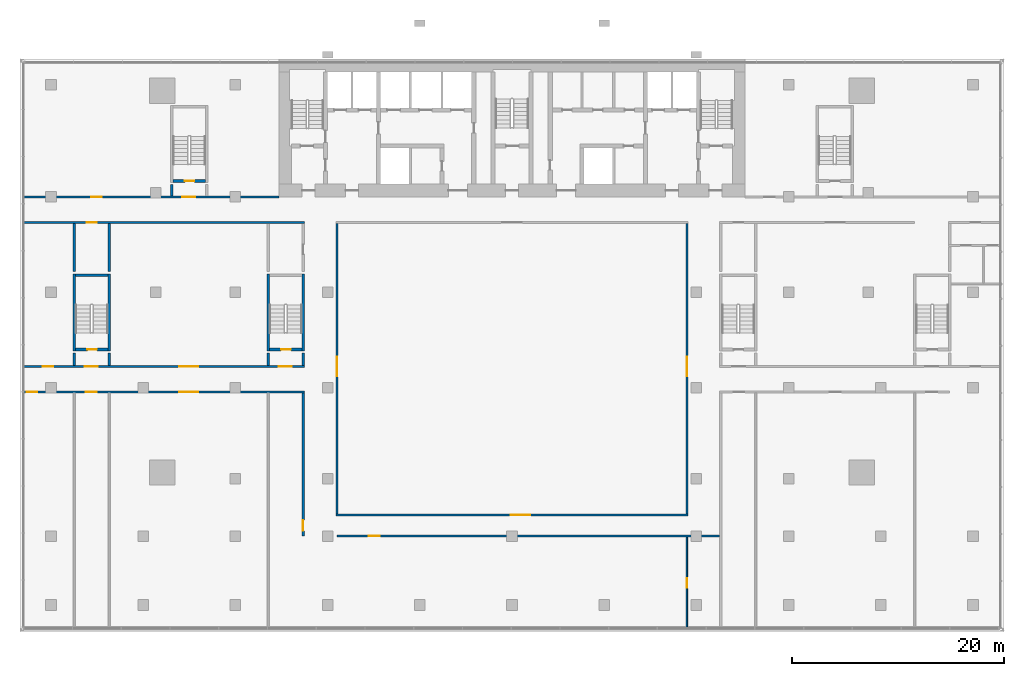
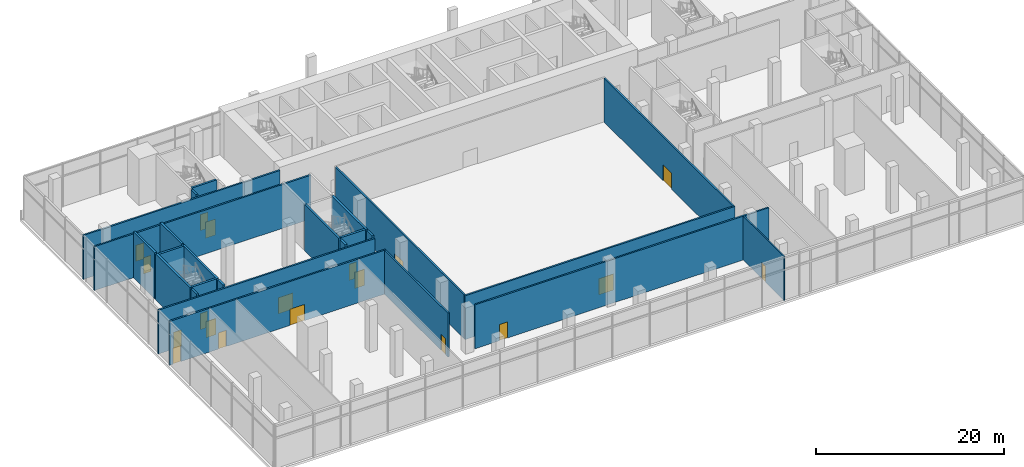
# One storey, part 12 of 21: 25 walls, 19 doors, 19 openings.
"""IFC4 building model written with IfcOpenShell, lengths in metres."""

from ifc_helpers import new_model, si_unit, direction, frame, frame_2d, origin, place, context, subcontext, project, spatial, rectangle, extrude, material, layer, layer_set, type_object, element, fill, save


model = new_model("IFC4")

# Units and contexts
model_context = context("Model", 3, precision=1e-05, world=origin(), true_north=direction((0.0, 1.0)))
body_context = subcontext(model_context, "Body", "Model", "MODEL_VIEW")
ifc_project = project(units=[si_unit("LENGTHUNIT", "METRE"), si_unit("AREAUNIT", "SQUARE_METRE"), si_unit("VOLUMEUNIT", "CUBIC_METRE"), si_unit("PLANEANGLEUNIT", "RADIAN"), si_unit("MASSUNIT", "GRAM", prefix="KILO")], contexts=[model_context])

# Site, building, storey
site_placement = place(None, origin())
site = spatial("IfcSite", under=ifc_project, at=site_placement, CompositionType="ELEMENT")
building_placement = place(site_placement, origin())
building = spatial("IfcBuilding", under=site, at=building_placement, Name="Bicima Exchange Tower", CompositionType="ELEMENT")
storey_placement = place(building_placement, frame((0.0, 0.0, 8.0)))
storey = spatial("IfcBuildingStorey", under=building, at=storey_placement, Name="L01", CompositionType="ELEMENT", Elevation=8.0)

# Wall, opening, door
ifc_material_1 = material(Name="Gypsum board partition")
ifc_layer_1 = layer(ifc_material_1, 0.199951171875)
ifc_layer_set_1 = layer_set([ifc_layer_1], Name="Gypsum board partition")
wall_type_1 = type_object("IfcWallType", Name="Fire-rated gypsum partition 200 EI60", PredefinedType="PARTITIONING", material=ifc_layer_set_1)
wall_1_placement = place(storey_placement, frame((-16.5, -45.0, 0.0), z_axis=(0.0, 0.0, 1.0), x_axis=(1.0, 0.0, 0.0)))
wall_1 = element("IfcWall", 1, at=wall_1_placement, inside=storey, type_object=wall_type_1, Name="partition wall 1", PredefinedType="PARTITIONING", context=body_context, shape_type="SweptSolid", body=[
    extrude(rectangle(XDim=36.10009765625, YDim=0.199951171875, at=frame_2d((18.050048828125, 0.0))), origin(), (0.0, 0.0, 1.0), 5.699951171875),
])
opening_1_placement = place(wall_1_placement, frame((3.0, 0.0, 0.0)))
opening_1 = element("IfcOpeningElement", 2, at=opening_1_placement, cuts=wall_1, Name="Opening L01-014", PredefinedType="OPENING", context=body_context, shape_type="SweptSolid", body=[
    extrude(rectangle(XDim=1.0, YDim=2.10009765625, at=frame_2d((0.5, 1.050048828125))), frame((0.0, 0.11181640625, 0.0), z_axis=(0.0, -1.0, 0.0), x_axis=(1.0, 0.0, 0.0)), (0.0, 0.0, 1.0), 0.223876953125),
])
ifc_material_2 = material(Name="Steel fire door leaf", Category="steel")
door_type_1 = type_object("IfcDoorType", Name="Door 1000 swing FD30S", OperationType="SINGLE_SWING_LEFT", PredefinedType="DOOR", material=ifc_material_2)
door_1_placement = place(opening_1_placement, frame((1.0, 0.0, 0.0), z_axis=(0.0, 0.0, 1.0), x_axis=(-1.0, 0.0, 0.0)))
door_1 = element("IfcDoor", 3, at=door_1_placement, inside=storey, type_object=door_type_1, Name="Door", OperationType="SINGLE_SWING_RIGHT", OverallHeight=2.10009765625, OverallWidth=1.0, PredefinedType="DOOR", context=body_context, shape_type="SweptSolid", body=[
    extrude(rectangle(XDim=1.0, YDim=2.10009765625, at=frame_2d((0.5, 1.050048828125))), frame((0.0, 0.02490234375, 0.0), z_axis=(0.0, -1.0, 0.0), x_axis=(1.0, 0.0, 0.0)), (0.0, 0.0, 1.0), 0.050048828125),
])
fill(opening_1, door_1)

wall_2_placement = place(storey_placement, frame((-16.60009765625, -43.0, 0.0), z_axis=(0.0, 0.0, 1.0), x_axis=(1.0, 0.0, 0.0)))
wall_2 = element("IfcWall", 4, at=wall_2_placement, inside=storey, type_object=wall_type_1, Name="partition wall 2", PredefinedType="PARTITIONING", context=body_context, shape_type="SweptSolid", body=[
    extrude(rectangle(XDim=33.2001953125, YDim=0.199951171875, at=frame_2d((16.60009765625, 0.0))), origin(), (0.0, 0.0, 1.0), 5.699951171875),
])
opening_2_placement = place(wall_2_placement, frame((16.5, 0.0, 0.0)))
opening_2 = element("IfcOpeningElement", 5, at=opening_2_placement, cuts=wall_2, Name="Opening L01-035", PredefinedType="OPENING", context=body_context, shape_type="SweptSolid", body=[
    extrude(rectangle(XDim=1.800048828125, YDim=2.10009765625, at=frame_2d((0.89990234375, 1.050048828125))), frame((0.0, 0.11181640625, 0.0), z_axis=(0.0, -1.0, 0.0), x_axis=(1.0, 0.0, 0.0)), (0.0, 0.0, 1.0), 0.223876953125),
])
door_type_2 = type_object("IfcDoorType", Name="Door 1800 double swing FD30S", OperationType="DOUBLE_DOOR_SINGLE_SWING", PredefinedType="DOOR", material=ifc_material_2)
door_2_placement = place(opening_2_placement, origin())
door_2 = element("IfcDoor", 6, at=door_2_placement, inside=storey, type_object=door_type_2, Name="Door", OperationType="SINGLE_SWING_LEFT", OverallHeight=2.10009765625, OverallWidth=1.800048828125, PredefinedType="DOOR", context=body_context, shape_type="SweptSolid", body=[
    extrude(rectangle(XDim=1.800048828125, YDim=2.10009765625, at=frame_2d((0.89990234375, 1.050048828125))), frame((0.0, 0.02490234375, 0.0), z_axis=(0.0, -1.0, 0.0), x_axis=(1.0, 0.0, 0.0)), (0.0, 0.0, 1.0), 0.050048828125),
])
fill(opening_2, door_2)

# Wall, openings, doors
wall_3_placement = place(storey_placement, frame((-46.18994140625, -31.39990234375, 0.0), z_axis=(0.0, 0.0, 1.0), x_axis=(1.0, 0.0, 0.0)))
wall_3 = element("IfcWall", 7, at=wall_3_placement, inside=storey, type_object=wall_type_1, Name="partition wall 3", PredefinedType="PARTITIONING", context=body_context, shape_type="SweptSolid", body=[
    extrude(rectangle(XDim=26.58984375, YDim=0.199951171875, at=frame_2d((13.294921875, 0.0))), origin(), (0.0, 0.0, 1.0), 5.699951171875),
])
opening_3_placement = place(wall_3_placement, frame((0.39990234375, 0.0, 0.0)))
opening_3 = element("IfcOpeningElement", 8, at=opening_3_placement, cuts=wall_3, Name="Opening L01-018", PredefinedType="OPENING", context=body_context, shape_type="SweptSolid", body=[
    extrude(rectangle(XDim=1.0, YDim=2.10009765625, at=frame_2d((0.5, 1.050048828125))), frame((0.0, 0.11181640625, 0.0), z_axis=(0.0, -1.0, 0.0), x_axis=(1.0, 0.0, 0.0)), (0.0, 0.0, 1.0), 0.223876953125),
])
opening_4_placement = place(wall_3_placement, frame((5.989990234375, 0.0, 0.0)))
opening_4 = element("IfcOpeningElement", 9, at=opening_4_placement, cuts=wall_3, Name="Opening L01-020", PredefinedType="OPENING", context=body_context, shape_type="SweptSolid", body=[
    extrude(rectangle(XDim=1.0, YDim=2.10009765625, at=frame_2d((0.5, 1.050048828125))), frame((0.0, 0.11181640625, 0.0), z_axis=(0.0, -1.0, 0.0), x_axis=(1.0, 0.0, 0.0)), (0.0, 0.0, 1.0), 0.223876953125),
])
opening_5_placement = place(wall_3_placement, frame((14.7900390625, 0.0, 0.0)))
opening_5 = element("IfcOpeningElement", 10, at=opening_5_placement, cuts=wall_3, Name="Opening L01-022", PredefinedType="OPENING", context=body_context, shape_type="SweptSolid", body=[
    extrude(rectangle(XDim=1.800048828125, YDim=2.10009765625, at=frame_2d((0.89990234375, 1.050048828125))), frame((0.0, 0.11181640625, 0.0), z_axis=(0.0, -1.0, 0.0), x_axis=(1.0, 0.0, 0.0)), (0.0, 0.0, 1.0), 0.223876953125),
])
door_3_placement = place(opening_3_placement, frame((1.0, 0.0, 0.0), z_axis=(0.0, 0.0, 1.0), x_axis=(-1.0, 0.0, 0.0)))
door_3 = element("IfcDoor", 11, at=door_3_placement, inside=storey, type_object=door_type_1, Name="Door", OperationType="SINGLE_SWING_RIGHT", OverallHeight=2.10009765625, OverallWidth=1.0, PredefinedType="DOOR", context=body_context, shape_type="SweptSolid", body=[
    extrude(rectangle(XDim=1.0, YDim=2.10009765625, at=frame_2d((0.5, 1.050048828125))), frame((0.0, 0.02490234375, 0.0), z_axis=(0.0, -1.0, 0.0), x_axis=(1.0, 0.0, 0.0)), (0.0, 0.0, 1.0), 0.050048828125),
])
fill(opening_3, door_3)
door_4_placement = place(opening_4_placement, frame((1.0, 0.0, 0.0), z_axis=(0.0, 0.0, 1.0), x_axis=(-1.0, 0.0, 0.0)))
door_4 = element("IfcDoor", 12, at=door_4_placement, inside=storey, type_object=door_type_1, Name="Door", OperationType="SINGLE_SWING_RIGHT", OverallHeight=2.10009765625, OverallWidth=1.0, PredefinedType="DOOR", context=body_context, shape_type="SweptSolid", body=[
    extrude(rectangle(XDim=1.0, YDim=2.10009765625, at=frame_2d((0.5, 1.050048828125))), frame((0.0, 0.02490234375, 0.0), z_axis=(0.0, -1.0, 0.0), x_axis=(1.0, 0.0, 0.0)), (0.0, 0.0, 1.0), 0.050048828125),
])
fill(opening_4, door_4)
door_5_placement = place(opening_5_placement, origin())
door_5 = element("IfcDoor", 13, at=door_5_placement, inside=storey, type_object=door_type_2, Name="Door", OperationType="SINGLE_SWING_LEFT", OverallHeight=2.10009765625, OverallWidth=1.800048828125, PredefinedType="DOOR", context=body_context, shape_type="SweptSolid", body=[
    extrude(rectangle(XDim=1.800048828125, YDim=2.10009765625, at=frame_2d((0.89990234375, 1.050048828125))), frame((0.0, 0.02490234375, 0.0), z_axis=(0.0, -1.0, 0.0), x_axis=(1.0, 0.0, 0.0)), (0.0, 0.0, 1.0), 0.050048828125),
])
fill(opening_5, door_5)

wall_4_placement = place(storey_placement, frame((-46.18994140625, -29.0, 0.0), z_axis=(0.0, 0.0, 1.0), x_axis=(1.0, 0.0, 0.0)))
wall_4 = element("IfcWall", 14, at=wall_4_placement, inside=storey, type_object=wall_type_1, Name="partition wall 5", PredefinedType="PARTITIONING", context=body_context, shape_type="SweptSolid", body=[
    extrude(rectangle(XDim=26.614990234375, YDim=0.199951171875, at=frame_2d((13.3076171875, 0.0))), origin(), (0.0, 0.0, 1.0), 5.699951171875),
])
opening_6_placement = place(wall_4_placement, frame((5.889892578125, 0.0, 0.0)))
opening_6 = element("IfcOpeningElement", 15, at=opening_6_placement, cuts=wall_4, Name="Opening L01-001", PredefinedType="OPENING", context=body_context, shape_type="SweptSolid", body=[
    extrude(rectangle(XDim=1.199951171875, YDim=2.10009765625, at=frame_2d((0.60009765625, 1.050048828125))), frame((0.0, 0.11181640625, 0.0), z_axis=(0.0, -1.0, 0.0), x_axis=(1.0, 0.0, 0.0)), (0.0, 0.0, 1.0), 0.223876953125),
])
opening_7_placement = place(wall_4_placement, frame((24.18994140625, 0.0, 0.0)))
opening_7 = element("IfcOpeningElement", 16, at=opening_7_placement, cuts=wall_4, Name="Opening L01-003", PredefinedType="OPENING", context=body_context, shape_type="SweptSolid", body=[
    extrude(rectangle(XDim=1.199951171875, YDim=2.10009765625, at=frame_2d((0.60009765625, 1.050048828125))), frame((0.0, 0.11181640625, 0.0), z_axis=(0.0, -1.0, 0.0), x_axis=(1.0, 0.0, 0.0)), (0.0, 0.0, 1.0), 0.223876953125),
])
opening_8_placement = place(wall_4_placement, frame((1.89990234375, 0.0, 0.0)))
opening_8 = element("IfcOpeningElement", 17, at=opening_8_placement, cuts=wall_4, Name="Opening L01-017", PredefinedType="OPENING", context=body_context, shape_type="SweptSolid", body=[
    extrude(rectangle(XDim=1.0, YDim=2.10009765625, at=frame_2d((0.5, 1.050048828125))), frame((0.0, 0.11181640625, 0.0), z_axis=(0.0, -1.0, 0.0), x_axis=(1.0, 0.0, 0.0)), (0.0, 0.0, 1.0), 0.223876953125),
])
opening_9_placement = place(wall_4_placement, frame((14.7900390625, 0.0, 0.0)))
opening_9 = element("IfcOpeningElement", 18, at=opening_9_placement, cuts=wall_4, Name="Opening L01-021", PredefinedType="OPENING", context=body_context, shape_type="SweptSolid", body=[
    extrude(rectangle(XDim=1.800048828125, YDim=2.10009765625, at=frame_2d((0.89990234375, 1.050048828125))), frame((0.0, 0.11181640625, 0.0), z_axis=(0.0, -1.0, 0.0), x_axis=(1.0, 0.0, 0.0)), (0.0, 0.0, 1.0), 0.223876953125),
])
door_6_placement = place(opening_8_placement, origin())
door_6 = element("IfcDoor", 19, at=door_6_placement, inside=storey, type_object=door_type_1, Name="Door", OperationType="SINGLE_SWING_LEFT", OverallHeight=2.10009765625, OverallWidth=1.0, PredefinedType="DOOR", context=body_context, shape_type="SweptSolid", body=[
    extrude(rectangle(XDim=1.0, YDim=2.10009765625, at=frame_2d((0.5, 1.050048828125))), frame((0.0, 0.02490234375, 0.0), z_axis=(0.0, -1.0, 0.0), x_axis=(1.0, 0.0, 0.0)), (0.0, 0.0, 1.0), 0.050048828125),
])
fill(opening_8, door_6)
door_type_3 = type_object("IfcDoorType", Name="Door 1200 swing FD30S", OperationType="SINGLE_SWING_LEFT", PredefinedType="DOOR", material=ifc_material_2)
door_7_placement = place(opening_6_placement, origin())
door_7 = element("IfcDoor", 20, at=door_7_placement, inside=storey, type_object=door_type_3, Name="Door", OperationType="SINGLE_SWING_LEFT", OverallHeight=2.10009765625, OverallWidth=1.199951171875, PredefinedType="DOOR", context=body_context, shape_type="SweptSolid", body=[
    extrude(rectangle(XDim=1.199951171875, YDim=2.10009765625, at=frame_2d((0.60009765625, 1.050048828125))), frame((0.0, 0.02490234375, 0.0), z_axis=(0.0, -1.0, 0.0), x_axis=(1.0, 0.0, 0.0)), (0.0, 0.0, 1.0), 0.050048828125),
])
fill(opening_6, door_7)
door_8_placement = place(opening_7_placement, origin())
door_8 = element("IfcDoor", 21, at=door_8_placement, inside=storey, type_object=door_type_3, Name="Door", OperationType="SINGLE_SWING_RIGHT", OverallHeight=2.10009765625, OverallWidth=1.199951171875, PredefinedType="DOOR", context=body_context, shape_type="SweptSolid", body=[
    extrude(rectangle(XDim=1.199951171875, YDim=2.10009765625, at=frame_2d((0.60009765625, 1.050048828125))), frame((0.0, 0.02490234375, 0.0), z_axis=(0.0, -1.0, 0.0), x_axis=(1.0, 0.0, 0.0)), (0.0, 0.0, 1.0), 0.050048828125),
])
fill(opening_7, door_8)
door_9_placement = place(opening_9_placement, origin())
door_9 = element("IfcDoor", 22, at=door_9_placement, inside=storey, type_object=door_type_2, Name="Door", OperationType="SINGLE_SWING_LEFT", OverallHeight=2.10009765625, OverallWidth=1.800048828125, PredefinedType="DOOR", context=body_context, shape_type="SweptSolid", body=[
    extrude(rectangle(XDim=1.800048828125, YDim=2.10009765625, at=frame_2d((0.89990234375, 1.050048828125))), frame((0.0, 0.02490234375, 0.0), z_axis=(0.0, -1.0, 0.0), x_axis=(1.0, 0.0, 0.0)), (0.0, 0.0, 1.0), 0.050048828125),
])
fill(opening_9, door_9)

# Wall, opening, door
wall_5_placement = place(storey_placement, frame((-46.18994140625, -15.39990234375, 0.0), z_axis=(0.0, 0.0, 1.0), x_axis=(1.0, 0.0, 0.0)))
wall_5 = element("IfcWall", 23, at=wall_5_placement, inside=storey, type_object=wall_type_1, Name="partition wall 17", PredefinedType="PARTITIONING", context=body_context, shape_type="SweptSolid", body=[
    extrude(rectangle(XDim=26.614990234375, YDim=0.199951171875, at=frame_2d((13.3076171875, 0.0))), origin(), (0.0, 0.0, 1.0), 5.699951171875),
])
opening_10_placement = place(wall_5_placement, frame((6.090087890625, 0.0, 0.0)))
opening_10 = element("IfcOpeningElement", 24, at=opening_10_placement, cuts=wall_5, Name="Opening L01-019", PredefinedType="OPENING", context=body_context, shape_type="SweptSolid", body=[
    extrude(rectangle(XDim=0.89990234375, YDim=2.10009765625, at=frame_2d((0.449951171875, 1.050048828125))), frame((0.0, 0.11181640625, 0.0), z_axis=(0.0, -1.0, 0.0), x_axis=(1.0, 0.0, 0.0)), (0.0, 0.0, 1.0), 0.223876953125),
])
door_type_4 = type_object("IfcDoorType", Name="Door 900 swing FD30S", OperationType="SINGLE_SWING_LEFT", PredefinedType="DOOR", material=ifc_material_2)
door_10_placement = place(opening_10_placement, frame((0.89990234375, 0.0, 0.0), z_axis=(0.0, 0.0, 1.0), x_axis=(-1.0, 0.0, 0.0)))
door_10 = element("IfcDoor", 25, at=door_10_placement, inside=storey, type_object=door_type_4, Name="Door", OperationType="SINGLE_SWING_LEFT", OverallHeight=2.10009765625, OverallWidth=0.89990234375, PredefinedType="DOOR", context=body_context, shape_type="SweptSolid", body=[
    extrude(rectangle(XDim=0.89990234375, YDim=2.10009765625, at=frame_2d((0.449951171875, 1.050048828125))), frame((0.0, 0.02490234375, 0.0), z_axis=(0.0, -1.0, 0.0), x_axis=(1.0, 0.0, 0.0)), (0.0, 0.0, 1.0), 0.050048828125),
])
fill(opening_10, door_10)

# Wall, openings, doors
wall_6_placement = place(storey_placement, frame((-46.18994140625, -13.0, 0.0), z_axis=(0.0, 0.0, 1.0), x_axis=(1.0, 0.0, 0.0)))
wall_6 = element("IfcWall", 26, at=wall_6_placement, inside=storey, type_object=wall_type_1, Name="partition wall 21", PredefinedType="PARTITIONING", context=body_context, shape_type="SweptSolid", body=[
    extrude(rectangle(XDim=24.18994140625, YDim=0.199951171875, at=frame_2d((12.094970703125, 0.0))), origin(), (0.0, 0.0, 1.0), 5.699951171875),
])
opening_11_placement = place(wall_6_placement, frame((15.090087890625, 0.0, 0.0)))
opening_11 = element("IfcOpeningElement", 27, at=opening_11_placement, cuts=wall_6, Name="Opening L01-009", PredefinedType="OPENING", context=body_context, shape_type="SweptSolid", body=[
    extrude(rectangle(XDim=1.199951171875, YDim=2.10009765625, at=frame_2d((0.60009765625, 1.050048828125))), frame((0.0, 0.11181640625, 0.0), z_axis=(0.0, -1.0, 0.0), x_axis=(1.0, 0.0, 0.0)), (0.0, 0.0, 1.0), 0.223876953125),
])
opening_12_placement = place(wall_6_placement, frame((6.5, 0.0, 0.0)))
opening_12 = element("IfcOpeningElement", 28, at=opening_12_placement, cuts=wall_6, Name="Opening L01-015", PredefinedType="OPENING", context=body_context, shape_type="SweptSolid", body=[
    extrude(rectangle(XDim=1.0, YDim=2.10009765625, at=frame_2d((0.5, 1.050048828125))), frame((0.0, 0.11181640625, 0.0), z_axis=(0.0, -1.0, 0.0), x_axis=(1.0, 0.0, 0.0)), (0.0, 0.0, 1.0), 0.223876953125),
])
door_11_placement = place(opening_12_placement, origin())
door_11 = element("IfcDoor", 29, at=door_11_placement, inside=storey, type_object=door_type_1, Name="Door", OperationType="SINGLE_SWING_RIGHT", OverallHeight=2.10009765625, OverallWidth=1.0, PredefinedType="DOOR", context=body_context, shape_type="SweptSolid", body=[
    extrude(rectangle(XDim=1.0, YDim=2.10009765625, at=frame_2d((0.5, 1.050048828125))), frame((0.0, 0.02490234375, 0.0), z_axis=(0.0, -1.0, 0.0), x_axis=(1.0, 0.0, 0.0)), (0.0, 0.0, 1.0), 0.050048828125),
])
fill(opening_12, door_11)
door_12_placement = place(opening_11_placement, origin())
door_12 = element("IfcDoor", 30, at=door_12_placement, inside=storey, type_object=door_type_3, Name="Door", OperationType="SINGLE_SWING_RIGHT", OverallHeight=2.10009765625, OverallWidth=1.199951171875, PredefinedType="DOOR", context=body_context, shape_type="SweptSolid", body=[
    extrude(rectangle(XDim=1.199951171875, YDim=2.10009765625, at=frame_2d((0.60009765625, 1.050048828125))), frame((0.0, 0.02490234375, 0.0), z_axis=(0.0, -1.0, 0.0), x_axis=(1.0, 0.0, 0.0)), (0.0, 0.0, 1.0), 0.050048828125),
])
fill(opening_11, door_12)

# Wall, opening, door
wall_7_placement = place(storey_placement, frame((-19.699951171875, -45.0, 0.0), z_axis=(0.0, 0.0, 1.0), x_axis=(0.0, 1.0, 0.0)))
wall_7 = element("IfcWall", 31, at=wall_7_placement, inside=storey, type_object=wall_type_1, Name="partition wall 37", PredefinedType="PARTITIONING", context=body_context, shape_type="SweptSolid", body=[
    extrude(rectangle(XDim=13.5, YDim=0.199951171875, at=frame_2d((6.75, 0.0))), origin(), (0.0, 0.0, 1.0), 5.699951171875),
])
opening_13_placement = place(wall_7_placement, frame((0.5, 0.0, 0.0)))
opening_13 = element("IfcOpeningElement", 32, at=opening_13_placement, cuts=wall_7, Name="Opening L01-024", PredefinedType="OPENING", context=body_context, shape_type="SweptSolid", body=[
    extrude(rectangle(XDim=1.0, YDim=2.10009765625, at=frame_2d((0.5, 1.050048828125))), frame((0.0, 0.11181640625, 0.0), z_axis=(0.0, -1.0, 0.0), x_axis=(1.0, 0.0, 0.0)), (0.0, 0.0, 1.0), 0.223876953125),
])
door_13_placement = place(opening_13_placement, origin())
door_13 = element("IfcDoor", 33, at=door_13_placement, inside=storey, type_object=door_type_1, Name="Door", OperationType="SINGLE_SWING_RIGHT", OverallHeight=2.10009765625, OverallWidth=1.0, PredefinedType="DOOR", context=body_context, shape_type="SweptSolid", body=[
    extrude(rectangle(XDim=1.0, YDim=2.10009765625, at=frame_2d((0.5, 1.050048828125))), frame((0.0, 0.02490234375, 0.0), z_axis=(0.0, -1.0, 0.0), x_axis=(1.0, 0.0, 0.0)), (0.0, 0.0, 1.0), 0.050048828125),
])
fill(opening_13, door_13)

wall_8_placement = place(storey_placement, frame((-16.5, -42.89990234375, 0.0), z_axis=(0.0, 0.0, 1.0), x_axis=(0.0, 1.0, 0.0)))
wall_8 = element("IfcWall", 34, at=wall_8_placement, inside=storey, type_object=wall_type_1, Name="partition wall 39", PredefinedType="PARTITIONING", context=body_context, shape_type="SweptSolid", body=[
    extrude(rectangle(XDim=27.39990234375, YDim=0.199951171875, at=frame_2d((13.699951171875, 0.0))), origin(), (0.0, 0.0, 1.0), 5.699951171875),
])
opening_14_placement = place(wall_8_placement, frame((13.0, 0.0, 0.0)))
opening_14 = element("IfcOpeningElement", 35, at=opening_14_placement, cuts=wall_8, Name="Opening L01-036", PredefinedType="OPENING", context=body_context, shape_type="SweptSolid", body=[
    extrude(rectangle(XDim=1.800048828125, YDim=2.10009765625, at=frame_2d((0.89990234375, 1.050048828125))), frame((0.0, 0.11181640625, 0.0), z_axis=(0.0, -1.0, 0.0), x_axis=(1.0, 0.0, 0.0)), (0.0, 0.0, 1.0), 0.223876953125),
])
door_14_placement = place(opening_14_placement, origin())
door_14 = element("IfcDoor", 36, at=door_14_placement, inside=storey, type_object=door_type_2, Name="Door", OperationType="SINGLE_SWING_LEFT", OverallHeight=2.10009765625, OverallWidth=1.800048828125, PredefinedType="DOOR", context=body_context, shape_type="SweptSolid", body=[
    extrude(rectangle(XDim=1.800048828125, YDim=2.10009765625, at=frame_2d((0.89990234375, 1.050048828125))), frame((0.0, 0.02490234375, 0.0), z_axis=(0.0, -1.0, 0.0), x_axis=(1.0, 0.0, 0.0)), (0.0, 0.0, 1.0), 0.050048828125),
])
fill(opening_14, door_14)

wall_9_placement = place(storey_placement, frame((16.5, -42.89990234375, 0.0), z_axis=(0.0, 0.0, 1.0), x_axis=(0.0, 1.0, 0.0)))
wall_9 = element("IfcWall", 37, at=wall_9_placement, inside=storey, type_object=wall_type_1, Name="partition wall 41", PredefinedType="PARTITIONING", context=body_context, shape_type="SweptSolid", body=[
    extrude(rectangle(XDim=27.39990234375, YDim=0.199951171875, at=frame_2d((13.699951171875, 0.0))), origin(), (0.0, 0.0, 1.0), 5.699951171875),
])
opening_15_placement = place(wall_9_placement, frame((13.0, 0.0, 0.0)))
opening_15 = element("IfcOpeningElement", 38, at=opening_15_placement, cuts=wall_9, Name="Opening L01-037", PredefinedType="OPENING", context=body_context, shape_type="SweptSolid", body=[
    extrude(rectangle(XDim=1.800048828125, YDim=2.10009765625, at=frame_2d((0.89990234375, 1.050048828125))), frame((0.0, 0.11181640625, 0.0), z_axis=(0.0, -1.0, 0.0), x_axis=(1.0, 0.0, 0.0)), (0.0, 0.0, 1.0), 0.223876953125),
])
door_15_placement = place(opening_15_placement, origin())
door_15 = element("IfcDoor", 39, at=door_15_placement, inside=storey, type_object=door_type_2, Name="Door", OperationType="SINGLE_SWING_LEFT", OverallHeight=2.10009765625, OverallWidth=1.800048828125, PredefinedType="DOOR", context=body_context, shape_type="SweptSolid", body=[
    extrude(rectangle(XDim=1.800048828125, YDim=2.10009765625, at=frame_2d((0.89990234375, 1.050048828125))), frame((0.0, 0.02490234375, 0.0), z_axis=(0.0, -1.0, 0.0), x_axis=(1.0, 0.0, 0.0)), (0.0, 0.0, 1.0), 0.050048828125),
])
fill(opening_15, door_15)

ifc_layer_2 = layer(ifc_material_1, 0.14990234375)
ifc_layer_set_2 = layer_set([ifc_layer_2], Name="Gypsum board partition")
wall_type_2 = type_object("IfcWallType", Name="Gypsum partition 150", PredefinedType="PARTITIONING", material=ifc_layer_set_2)
wall_10_placement = place(storey_placement, frame((16.5, -53.7900390625, 0.0), z_axis=(0.0, 0.0, 1.0), x_axis=(0.0, 1.0, 0.0)))
wall_10 = element("IfcWall", 40, at=wall_10_placement, inside=storey, type_object=wall_type_2, Name="partition wall 40", PredefinedType="PARTITIONING", context=body_context, shape_type="SweptSolid", body=[
    extrude(rectangle(XDim=8.68994140625, YDim=0.14990234375, at=frame_2d((4.344970703125, 0.0))), origin(), (0.0, 0.0, 1.0), 5.699951171875),
])
opening_16_placement = place(wall_10_placement, frame((3.89990234375, 0.0, 0.0)))
opening_16 = element("IfcOpeningElement", 41, at=opening_16_placement, cuts=wall_10, Name="Opening L01-025", PredefinedType="OPENING", context=body_context, shape_type="SweptSolid", body=[
    extrude(rectangle(XDim=0.89990234375, YDim=2.10009765625, at=frame_2d((0.449951171875, 1.050048828125))), frame((0.0, 0.0869140625, 0.0), z_axis=(0.0, -1.0, 0.0), x_axis=(1.0, 0.0, 0.0)), (0.0, 0.0, 1.0), 0.173828125),
])
ifc_material_3 = material(Name="Timber door leaf", Category="wood")
door_type_5 = type_object("IfcDoorType", Name="Door 900 swing", OperationType="SINGLE_SWING_LEFT", PredefinedType="DOOR", material=ifc_material_3)
door_16_placement = place(opening_16_placement, frame((0.89990234375, 0.0, 0.0), z_axis=(0.0, 0.0, 1.0), x_axis=(-1.0, 0.0, 0.0)))
door_16 = element("IfcDoor", 42, at=door_16_placement, inside=storey, type_object=door_type_5, Name="Door", OperationType="SINGLE_SWING_LEFT", OverallHeight=2.10009765625, OverallWidth=0.89990234375, PredefinedType="DOOR", context=body_context, shape_type="SweptSolid", body=[
    extrude(rectangle(XDim=0.89990234375, YDim=2.10009765625, at=frame_2d((0.449951171875, 1.050048828125))), frame((0.0, 0.02490234375, 0.0), z_axis=(0.0, -1.0, 0.0), x_axis=(1.0, 0.0, 0.0)), (0.0, 0.0, 1.0), 0.050048828125),
])
fill(opening_16, door_16)

# Walls
ifc_material_4 = material(Name="Concrete C50/60", Category="concrete")
ifc_layer_3 = layer(ifc_material_4, 0.25)
ifc_layer_set_3 = layer_set([ifc_layer_3], Name="Concrete C50/60")
wall_type_3 = type_object("IfcWallType", Name="RC core wall 250 C50/60", PredefinedType="SHEAR", material=ifc_layer_set_3)
wall_11_placement = place(storey_placement, frame((-41.300048828125, -28.89990234375, 0.0), z_axis=(0.0, 0.0, 1.0), x_axis=(0.0, 1.0, 0.0)))
element("IfcWall", 43, at=wall_11_placement, inside=storey, type_object=wall_type_3, Name="stair wall 30", PredefinedType="SHEAR", context=body_context, shape_type="SweptSolid", body=[
    extrude(rectangle(XDim=1.14990234375, YDim=0.25, at=frame_2d((0.574951171875, 0.0))), origin(), (0.0, 0.0, 1.0), 6.0),
])
wall_12_placement = place(storey_placement, frame((-41.300048828125, -20.050048828125, 0.0), z_axis=(0.0, 0.0, 1.0), x_axis=(0.0, 1.0, 0.0)))
element("IfcWall", 44, at=wall_12_placement, inside=storey, type_object=wall_type_3, Name="stair wall 30", PredefinedType="SHEAR", context=body_context, shape_type="SweptSolid", body=[
    extrude(rectangle(XDim=4.550048828125, YDim=0.25, at=frame_2d((2.27490234375, 0.0))), origin(), (0.0, 0.0, 1.0), 6.0),
])
wall_13_placement = place(storey_placement, frame((-38.0, -28.89990234375, 0.0), z_axis=(0.0, 0.0, 1.0), x_axis=(0.0, 1.0, 0.0)))
element("IfcWall", 45, at=wall_13_placement, inside=storey, type_object=wall_type_3, Name="stair wall 32", PredefinedType="SHEAR", context=body_context, shape_type="SweptSolid", body=[
    extrude(rectangle(XDim=1.14990234375, YDim=0.25, at=frame_2d((0.574951171875, 0.0))), origin(), (0.0, 0.0, 1.0), 6.0),
])
wall_14_placement = place(storey_placement, frame((-38.0, -20.050048828125, 0.0), z_axis=(0.0, 0.0, 1.0), x_axis=(0.0, 1.0, 0.0)))
element("IfcWall", 46, at=wall_14_placement, inside=storey, type_object=wall_type_3, Name="stair wall 32", PredefinedType="SHEAR", context=body_context, shape_type="SweptSolid", body=[
    extrude(rectangle(XDim=4.550048828125, YDim=0.25, at=frame_2d((2.27490234375, 0.0))), origin(), (0.0, 0.0, 1.0), 6.0),
])
wall_15_placement = place(storey_placement, frame((-32.10009765625, -12.89990234375, 0.0), z_axis=(0.0, 0.0, 1.0), x_axis=(0.0, 1.0, 0.0)))
element("IfcWall", 47, at=wall_15_placement, inside=storey, type_object=wall_type_3, Name="stair wall 33", PredefinedType="SHEAR", context=body_context, shape_type="SweptSolid", body=[
    extrude(rectangle(XDim=1.0498046875, YDim=0.25, at=frame_2d((0.52490234375, 0.0))), origin(), (0.0, 0.0, 1.0), 6.0),
])
for number, where, z_axis, x_axis, name in (
    (48, (-23.0, -28.89990234375, 0.0), (0.0, 0.0, 1.0), (0.0, 1.0, 0.0), "stair wall 36"),
    (49, (-19.699951171875, -28.89990234375, 0.0), (0.0, 0.0, 1.0), (0.0, 1.0, 0.0), "stair wall 38"),
):
    element("IfcWall", number, at=place(storey_placement, frame(where, z_axis=z_axis, x_axis=x_axis)), inside=storey, type_object=wall_type_3, Name=name, PredefinedType="SHEAR", context=body_context, shape_type="SweptSolid", body=[
        extrude(rectangle(XDim=1.14990234375, YDim=0.25, at=frame_2d((0.574951171875, 0.0))), origin(), (0.0, 0.0, 1.0), 6.0),
    ])

# Wall, opening, door
ifc_layer_4 = layer(ifc_material_4, 0.25)
ifc_layer_set_4 = layer_set([ifc_layer_4], Name="Concrete C50/60")
wall_type_4 = type_object("IfcWallType", Name="RC stair enclosure wall 250 C50/60", PredefinedType="SHEAR", material=ifc_layer_set_4)
wall_16_placement = place(storey_placement, frame((-31.97509765625, -11.5, 0.0), z_axis=(0.0, 0.0, 1.0), x_axis=(1.0, 0.0, 0.0)))
wall_16 = element("IfcWall", 50, at=wall_16_placement, inside=storey, type_object=wall_type_4, Name="West end exit stair wall S", PredefinedType="SHEAR", context=body_context, shape_type="SweptSolid", body=[
    extrude(rectangle(XDim=3.050048828125, YDim=0.25, at=frame_2d((1.52490234375, 0.0))), origin(), (0.0, 0.0, 1.0), 6.0),
])
opening_17_placement = place(wall_16_placement, frame((1.10009765625, 0.0, 0.0)))
opening_17 = element("IfcOpeningElement", 51, at=opening_17_placement, cuts=wall_16, Name="Opening L01-010", PredefinedType="OPENING", context=body_context, shape_type="SweptSolid", body=[
    extrude(rectangle(XDim=0.89990234375, YDim=2.10009765625, at=frame_2d((0.449951171875, 1.050048828125))), frame((0.0, 0.136962890625, 0.0), z_axis=(0.0, -1.0, 0.0), x_axis=(1.0, 0.0, 0.0)), (0.0, 0.0, 1.0), 0.27392578125),
])
door_type_6 = type_object("IfcDoorType", Name="Door 900 swing FD60S", OperationType="SINGLE_SWING_LEFT", PredefinedType="DOOR", material=ifc_material_2)
door_17_placement = place(opening_17_placement, origin())
door_17 = element("IfcDoor", 52, at=door_17_placement, inside=storey, type_object=door_type_6, Name="Door", OperationType="SINGLE_SWING_LEFT", OverallHeight=2.10009765625, OverallWidth=0.89990234375, PredefinedType="DOOR", context=body_context, shape_type="SweptSolid", body=[
    extrude(rectangle(XDim=0.89990234375, YDim=2.10009765625, at=frame_2d((0.449951171875, 1.050048828125))), frame((0.0, 0.02490234375, 0.0), z_axis=(0.0, -1.0, 0.0), x_axis=(1.0, 0.0, 0.0)), (0.0, 0.0, 1.0), 0.050048828125),
])
fill(opening_17, door_17)

# Walls
for number, where, z_axis, x_axis, name in (
    (53, (-41.300048828125, -27.52490234375, 0.0), (0.0, 0.0, 1.0), (0.0, 1.0, 0.0), "Podium west stair wall W"),
    (54, (-38.0, -27.52490234375, 0.0), (0.0, 0.0, 1.0), (0.0, 1.0, 0.0), "Podium west stair wall E"),
):
    element("IfcWall", number, at=place(storey_placement, frame(where, z_axis=z_axis, x_axis=x_axis)), inside=storey, type_object=wall_type_4, Name=name, PredefinedType="SHEAR", context=body_context, shape_type="SweptSolid", body=[
        extrude(rectangle(XDim=7.25, YDim=0.25, at=frame_2d((3.625, 0.0))), origin(), (0.0, 0.0, 1.0), 6.0),
    ])

# Wall, opening, door
wall_17_placement = place(storey_placement, frame((-41.175048828125, -27.39990234375, 0.0), z_axis=(0.0, 0.0, 1.0), x_axis=(1.0, 0.0, 0.0)))
wall_17 = element("IfcWall", 55, at=wall_17_placement, inside=storey, type_object=wall_type_4, Name="Podium west stair wall S", PredefinedType="SHEAR", context=body_context, shape_type="SweptSolid", body=[
    extrude(rectangle(XDim=3.050048828125, YDim=0.25, at=frame_2d((1.52490234375, 0.0))), origin(), (0.0, 0.0, 1.0), 6.0),
])
opening_18_placement = place(wall_17_placement, frame((1.10009765625, 0.0, 0.0)))
opening_18 = element("IfcOpeningElement", 56, at=opening_18_placement, cuts=wall_17, Name="Opening L01-002", PredefinedType="OPENING", context=body_context, shape_type="SweptSolid", body=[
    extrude(rectangle(XDim=0.89990234375, YDim=2.10009765625, at=frame_2d((0.449951171875, 1.050048828125))), frame((0.0, 0.136962890625, 0.0), z_axis=(0.0, -1.0, 0.0), x_axis=(1.0, 0.0, 0.0)), (0.0, 0.0, 1.0), 0.27392578125),
])
door_18_placement = place(opening_18_placement, origin())
door_18 = element("IfcDoor", 57, at=door_18_placement, inside=storey, type_object=door_type_6, Name="Door", OperationType="SINGLE_SWING_LEFT", OverallHeight=2.10009765625, OverallWidth=0.89990234375, PredefinedType="DOOR", context=body_context, shape_type="SweptSolid", body=[
    extrude(rectangle(XDim=0.89990234375, YDim=2.10009765625, at=frame_2d((0.449951171875, 1.050048828125))), frame((0.0, 0.02490234375, 0.0), z_axis=(0.0, -1.0, 0.0), x_axis=(1.0, 0.0, 0.0)), (0.0, 0.0, 1.0), 0.050048828125),
])
fill(opening_18, door_18)

# Walls
wall_18_placement = place(storey_placement, frame((-41.175048828125, -20.39990234375, 0.0), z_axis=(0.0, 0.0, 1.0), x_axis=(1.0, 0.0, 0.0)))
element("IfcWall", 58, at=wall_18_placement, inside=storey, type_object=wall_type_4, Name="Podium west stair wall N", PredefinedType="SHEAR", context=body_context, shape_type="SweptSolid", body=[
    extrude(rectangle(XDim=3.050048828125, YDim=0.25, at=frame_2d((1.52490234375, 0.0))), origin(), (0.0, 0.0, 1.0), 6.0),
])
for number, where, z_axis, x_axis, name in (
    (59, (-23.0, -27.52490234375, 0.0), (0.0, 0.0, 1.0), (0.0, 1.0, 0.0), "Podium inner west stair wall W"),
    (60, (-19.699951171875, -27.52490234375, 0.0), (0.0, 0.0, 1.0), (0.0, 1.0, 0.0), "Podium inner west stair wall E"),
):
    element("IfcWall", number, at=place(storey_placement, frame(where, z_axis=z_axis, x_axis=x_axis)), inside=storey, type_object=wall_type_4, Name=name, PredefinedType="SHEAR", context=body_context, shape_type="SweptSolid", body=[
        extrude(rectangle(XDim=7.25, YDim=0.25, at=frame_2d((3.625, 0.0))), origin(), (0.0, 0.0, 1.0), 6.0),
    ])

# Wall, opening, door
wall_19_placement = place(storey_placement, frame((-22.875, -27.39990234375, 0.0), z_axis=(0.0, 0.0, 1.0), x_axis=(1.0, 0.0, 0.0)))
wall_19 = element("IfcWall", 61, at=wall_19_placement, inside=storey, type_object=wall_type_4, Name="Podium inner west stair wall S", PredefinedType="SHEAR", context=body_context, shape_type="SweptSolid", body=[
    extrude(rectangle(XDim=3.050048828125, YDim=0.25, at=frame_2d((1.52490234375, 0.0))), origin(), (0.0, 0.0, 1.0), 6.0),
])
opening_19_placement = place(wall_19_placement, frame((1.10009765625, 0.0, 0.0)))
opening_19 = element("IfcOpeningElement", 62, at=opening_19_placement, cuts=wall_19, Name="Opening L01-004", PredefinedType="OPENING", context=body_context, shape_type="SweptSolid", body=[
    extrude(rectangle(XDim=0.89990234375, YDim=2.10009765625, at=frame_2d((0.449951171875, 1.050048828125))), frame((0.0, 0.136962890625, 0.0), z_axis=(0.0, -1.0, 0.0), x_axis=(1.0, 0.0, 0.0)), (0.0, 0.0, 1.0), 0.27392578125),
])
door_19_placement = place(opening_19_placement, origin())
door_19 = element("IfcDoor", 63, at=door_19_placement, inside=storey, type_object=door_type_6, Name="Door", OperationType="SINGLE_SWING_LEFT", OverallHeight=2.10009765625, OverallWidth=0.89990234375, PredefinedType="DOOR", context=body_context, shape_type="SweptSolid", body=[
    extrude(rectangle(XDim=0.89990234375, YDim=2.10009765625, at=frame_2d((0.449951171875, 1.050048828125))), frame((0.0, 0.02490234375, 0.0), z_axis=(0.0, -1.0, 0.0), x_axis=(1.0, 0.0, 0.0)), (0.0, 0.0, 1.0), 0.050048828125),
])
fill(opening_19, door_19)

save(model, "model.ifc")
